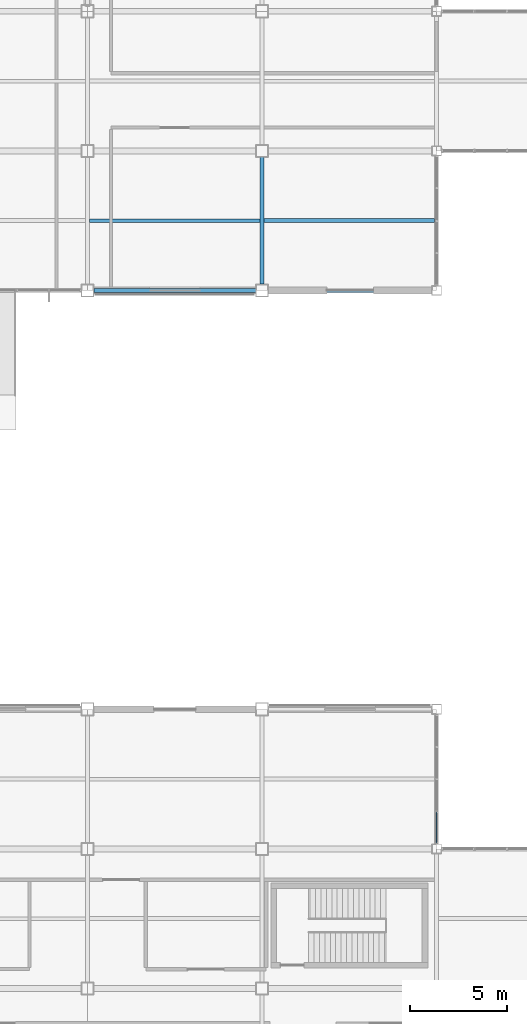
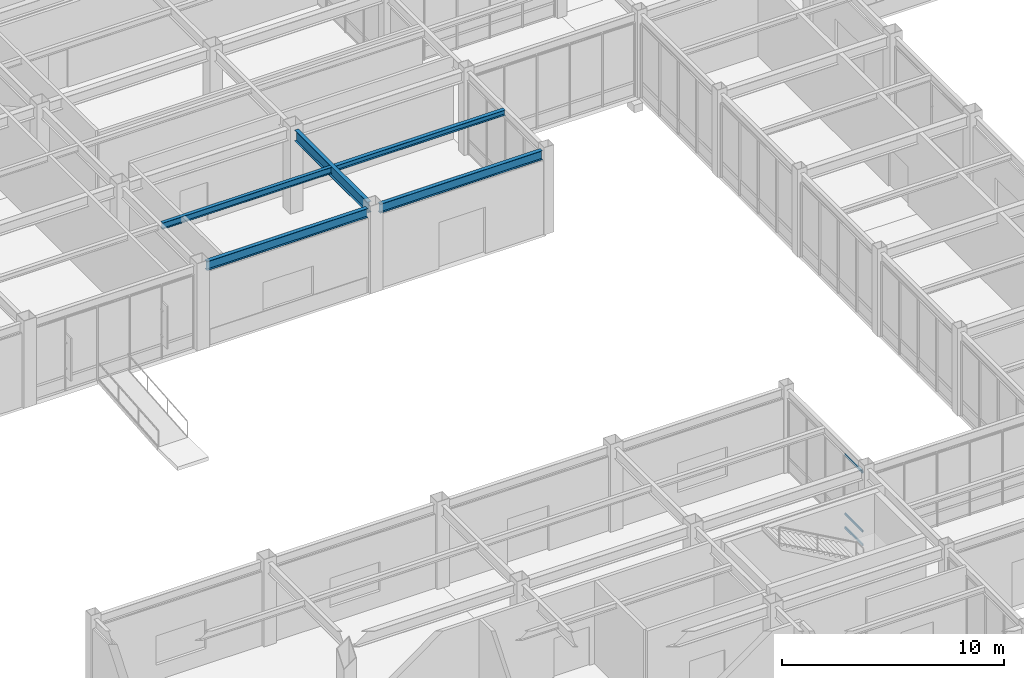
# One storey, part 27 of 112: 5 beams, 3 members, 1 element without a shape of its own.
"""IFC4 building model written with IfcOpenShell, lengths in metres."""

from ifc_helpers import new_model, si_unit, direction, frame, origin, origin_2d, place, context, subcontext, project, spatial, hollow_rectangle, i_section, extrude, material, material_profile, profile_set, type_object, element, aggregate, save


model = new_model("IFC4")

# Units and contexts
model_context = context("Model", 3, precision=1e-05, world=origin(), true_north=direction((0.0, 1.0)))
body_context = subcontext(model_context, "Body", "Model", "MODEL_VIEW")
ifc_project = project(units=[si_unit("LENGTHUNIT", "METRE"), si_unit("AREAUNIT", "SQUARE_METRE"), si_unit("VOLUMEUNIT", "CUBIC_METRE"), si_unit("PLANEANGLEUNIT", "RADIAN"), si_unit("MASSUNIT", "GRAM", prefix="KILO")], contexts=[model_context])

# Site, building, storey
site_placement = place(None, origin())
site = spatial("IfcSite", under=ifc_project, at=site_placement, CompositionType="ELEMENT")
building_placement = place(site_placement, origin())
building = spatial("IfcBuilding", under=site, at=building_placement, Name="Kazanami Central Library", CompositionType="ELEMENT")
storey_placement = place(building_placement, origin())
storey = spatial("IfcBuildingStorey", under=building, at=storey_placement, Name="L01", CompositionType="ELEMENT", Elevation=0.0)

# Beams
ifc_material_1 = material(Name="Steel SN400B (235 MPa)", Category="steel")
ifc_material_profile_1 = material_profile(ifc_material_1, i_section(OverallWidth=0.175048828125, OverallDepth=0.35009765625, WebThickness=0.007080078125, FlangeThickness=0.010986328125, at=origin_2d()), Name="H-350x175x7x11")
ifc_profile_set_1 = profile_set([ifc_material_profile_1], Name="Steel SN400B (235 MPa)")
beam_type_1 = type_object("IfcBeamType", Name="BM-B-S2", PredefinedType="JOIST", material=ifc_profile_set_1)
beam_1_placement = place(storey_placement, frame((18.097900390625, 61.199951171875, 4.3798828125), z_axis=(1.0, 0.0, 0.0), x_axis=(0.0, 1.0, 0.0)))
element("IfcBeam", 1, at=beam_1_placement, inside=storey, type_object=beam_type_1, Name="Composite Secondary Joist B-S2 L01 Bay 3/J.1", PredefinedType="JOIST", context=body_context, shape_type="SweptSolid", body=[
    extrude(i_section(OverallWidth=0.175048828125, OverallDepth=0.35009765625, WebThickness=0.007080078125, FlangeThickness=0.010986328125, at=origin_2d()), origin(), (0.0, 0.0, 1.0), 8.80419921875),
])
ifc_material_profile_2 = material_profile(ifc_material_1, i_section(OverallWidth=0.199951171875, OverallDepth=0.2939453125, WebThickness=0.008056640625, FlangeThickness=0.011962890625, at=origin_2d()), Name="H-294x200x8x12")
ifc_profile_set_2 = profile_set([ifc_material_profile_2], Name="Steel SN400B (235 MPa)")
beam_type_2 = type_object("IfcBeamType", Name="BM-B-S5", PredefinedType="JOIST", material=ifc_profile_set_2)
beam_2_placement = place(storey_placement, frame((27.097900390625, 61.199951171875, 4.407958984375), z_axis=(1.0, 0.0, 0.0), x_axis=(0.0, 1.0, 0.0)))
element("IfcBeam", 2, at=beam_2_placement, inside=storey, type_object=beam_type_2, Name="Composite Secondary Joist B-S5 L01 Bay 4/J.1", PredefinedType="JOIST", context=body_context, shape_type="SweptSolid", body=[
    extrude(i_section(OverallWidth=0.199951171875, OverallDepth=0.2939453125, WebThickness=0.008056640625, FlangeThickness=0.011962890625, at=origin_2d()), origin(), (0.0, 0.0, 1.0), 8.80419921875),
])
ifc_material_2 = material(Name="Steel SN490B (325 MPa)", Category="steel")
ifc_material_profile_3 = material_profile(ifc_material_2, i_section(OverallWidth=0.199951171875, OverallDepth=0.60009765625, WebThickness=0.010986328125, FlangeThickness=0.01708984375, at=origin_2d()), Name="H-600x200x11x17")
ifc_profile_set_3 = profile_set([ifc_material_profile_3], Name="Steel SN490B (325 MPa)")
beam_type_3 = type_object("IfcBeamType", Name="BM-G-Y1", PredefinedType="BEAM", material=ifc_profile_set_3)
beam_3_placement = place(storey_placement, frame((27.0, 57.923095703125, 4.2548828125), z_axis=(0.0, 1.0, 0.0), x_axis=(-1.0, 0.0, 0.0)))
element("IfcBeam", 3, at=beam_3_placement, inside=storey, type_object=beam_type_3, Name="Girder G-Y1 L01 4/J-K", PredefinedType="BEAM", context=body_context, shape_type="SweptSolid", body=[
    extrude(i_section(OverallWidth=0.199951171875, OverallDepth=0.60009765625, WebThickness=0.010986328125, FlangeThickness=0.01708984375, at=origin_2d()), origin(), (0.0, 0.0, 1.0), 6.553955078125),
])
ifc_material_profile_4 = material_profile(ifc_material_2, i_section(OverallWidth=0.199951171875, OverallDepth=0.5, WebThickness=0.010009765625, FlangeThickness=0.01611328125, at=origin_2d()), Name="H-500x200x10x16")
ifc_profile_set_4 = profile_set([ifc_material_profile_4], Name="Steel SN490B (325 MPa)")
beam_type_4 = type_object("IfcBeamType", Name="BM-SP-1", PredefinedType="SPANDREL", material=ifc_profile_set_4)
beam_4_placement = place(storey_placement, frame((18.322998046875, 57.60009765625, 4.304931640625), z_axis=(1.0, 0.0, 0.0), x_axis=(0.0, 1.0, 0.0)))
element("IfcBeam", 4, at=beam_4_placement, inside=storey, type_object=beam_type_4, Name="Girder SP-1 L01 J/3-4", PredefinedType="SPANDREL", context=body_context, shape_type="SweptSolid", body=[
    extrude(i_section(OverallWidth=0.199951171875, OverallDepth=0.5, WebThickness=0.010009765625, FlangeThickness=0.01611328125, at=origin_2d()), origin(), (0.0, 0.0, 1.0), 8.35400390625),
])
beam_5_placement = place(storey_placement, frame((27.322998046875, 57.60009765625, 4.304931640625), z_axis=(1.0, 0.0, 0.0), x_axis=(0.0, 1.0, 0.0)))
element("IfcBeam", 5, at=beam_5_placement, inside=storey, type_object=beam_type_4, Name="Girder SP-1 L01 J/4-5", PredefinedType="SPANDREL", context=body_context, shape_type="SweptSolid", body=[
    extrude(i_section(OverallWidth=0.199951171875, OverallDepth=0.5, WebThickness=0.010009765625, FlangeThickness=0.01611328125, at=origin_2d()), origin(), (0.0, 0.0, 1.0), 8.428955078125),
])

# Curtain wall, members
ifc_material_3 = material(Name="Acid-Etched Low-E Laminated Glass", Category="glass")
curtain_wall_type = type_object("IfcCurtainWallType", Name="CW-6700x4055-M180", PredefinedType="USERDEFINED", material=ifc_material_3)
curtain_wall_placement = place(storey_placement, origin())
curtain_wall = element("IfcCurtainWall", 6, at=curtain_wall_placement, inside=storey, type_object=curtain_wall_type, Name="Covered Link Bridge Curtain Wall CW-09 L01 E-5-04", ObjectType="UNITISED CURTAIN WALL", PredefinedType="USERDEFINED")
ifc_material_4 = material(Name="Anodised Aluminium A6063-T5", Category="aluminium")
ifc_material_profile_5 = material_profile(ifc_material_4, hollow_rectangle(XDim=0.06005859375, YDim=0.1201171875, WallThickness=0.00341796875, at=origin_2d()), Name="ALU-TRAN-60x120x3.5")
ifc_profile_set_5 = profile_set([ifc_material_profile_5], Name="Anodised Aluminium A6063-T5")
member_type = type_object("IfcMemberType", Name="MEM-CW-T3", PredefinedType="USERDEFINED", material=ifc_profile_set_5)
member_1_placement = place(storey_placement, frame((36.0, 30.695068359375, 0.030029296875), z_axis=(0.0, -1.0, 0.0), x_axis=(1.0, 0.0, 0.0)))
member_1 = element("IfcMember", 7, at=member_1_placement, type_object=member_type, Name="CW-09 transom 4.1", ObjectType="TRANSOM", PredefinedType="USERDEFINED", context=body_context, shape_type="SweptSolid", body=[
    extrude(hollow_rectangle(XDim=0.06005859375, YDim=0.1201171875, WallThickness=0.00341796875, at=origin_2d()), origin(), (0.0, 0.0, 1.0), 1.5849609375),
])
member_2_placement = place(storey_placement, frame((36.0, 30.695068359375, 0.780029296875), z_axis=(0.0, -1.0, 0.0), x_axis=(1.0, 0.0, 0.0)))
member_2 = element("IfcMember", 8, at=member_2_placement, type_object=member_type, Name="CW-09 transom 4.2", ObjectType="TRANSOM", PredefinedType="USERDEFINED", context=body_context, shape_type="SweptSolid", body=[
    extrude(hollow_rectangle(XDim=0.06005859375, YDim=0.1201171875, WallThickness=0.00341796875, at=origin_2d()), origin(), (0.0, 0.0, 1.0), 1.5849609375),
])
member_3_placement = place(storey_placement, frame((36.0, 30.695068359375, 4.02490234375), z_axis=(0.0, -1.0, 0.0), x_axis=(1.0, 0.0, 0.0)))
member_3 = element("IfcMember", 9, at=member_3_placement, type_object=member_type, Name="CW-09 transom 4.3", ObjectType="TRANSOM", PredefinedType="USERDEFINED", context=body_context, shape_type="SweptSolid", body=[
    extrude(hollow_rectangle(XDim=0.06005859375, YDim=0.1201171875, WallThickness=0.00341796875, at=origin_2d()), origin(), (0.0, 0.0, 1.0), 1.5849609375),
])
aggregate(curtain_wall, [member_1, member_2, member_3])

save(model, "model.ifc")
